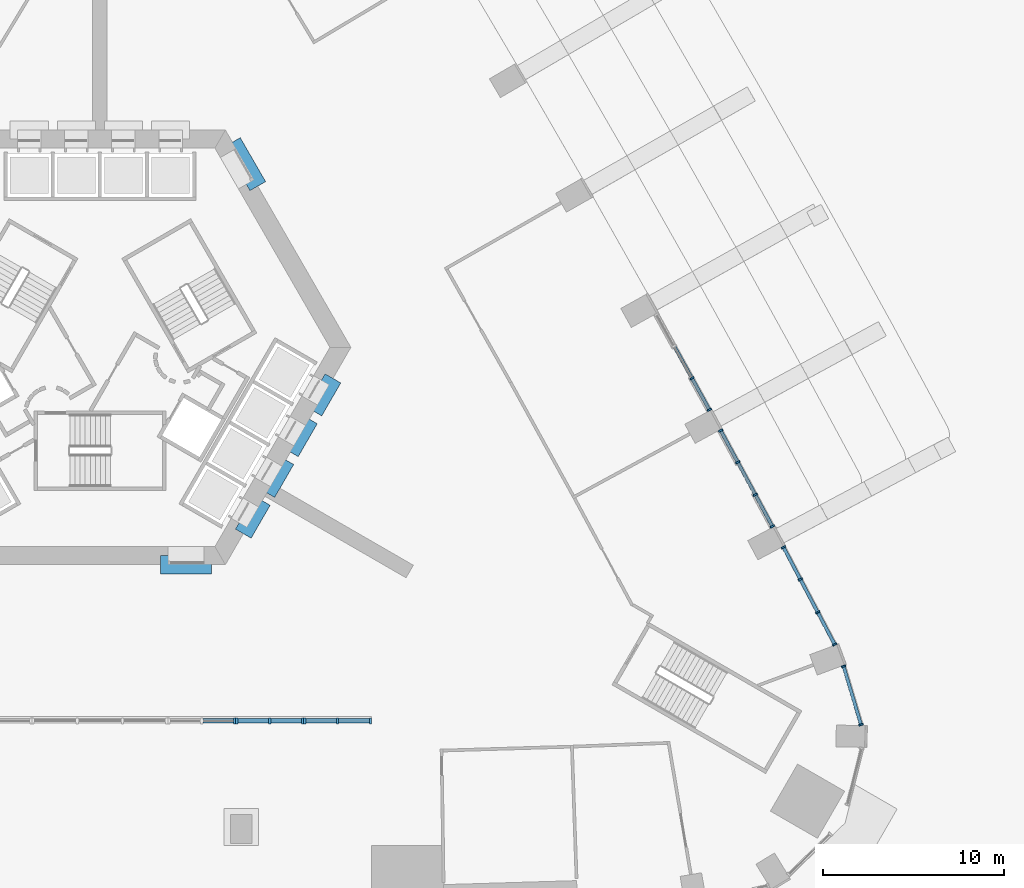
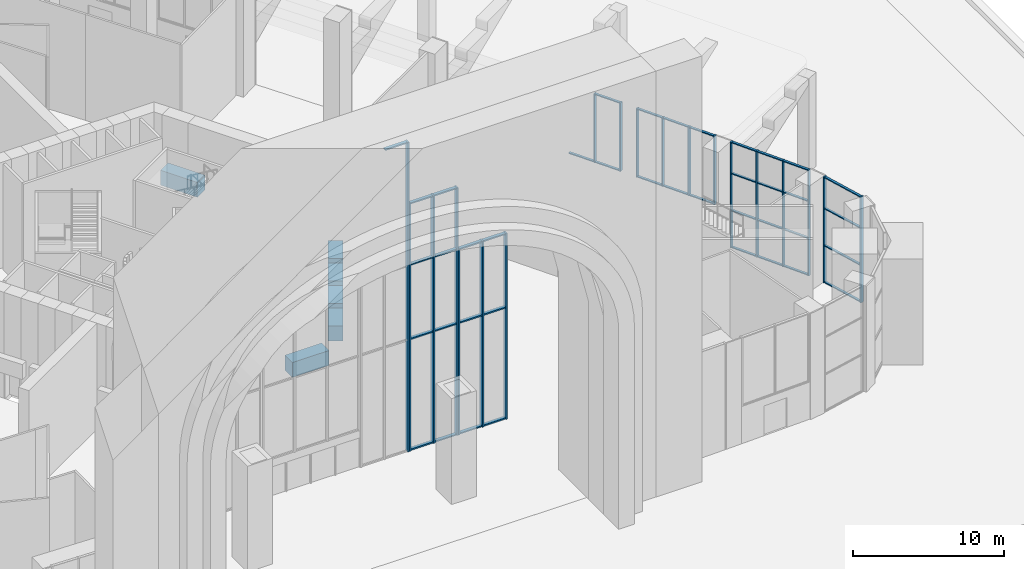
# One storey, part 6 of 36: 59 members, 6 beams, 7 elements without a shape of their own.
"""IFC4 building model written with IfcOpenShell, lengths in metres."""

from ifc_helpers import new_model, si_unit, direction, frame, origin, origin_2d, place, context, subcontext, project, spatial, rectangle, extrude, material, material_profile, profile_set, type_object, element, aggregate, save


model = new_model("IFC4")

# Units and contexts
model_context = context("Model", 3, precision=1e-05, world=origin(), true_north=direction((0.0, 1.0)))
body_context = subcontext(model_context, "Body", "Model", "MODEL_VIEW")
ifc_project = project(units=[si_unit("LENGTHUNIT", "METRE"), si_unit("AREAUNIT", "SQUARE_METRE"), si_unit("VOLUMEUNIT", "CUBIC_METRE"), si_unit("PLANEANGLEUNIT", "RADIAN"), si_unit("MASSUNIT", "GRAM", prefix="KILO")], contexts=[model_context])

# Site, building, storey
site_placement = place(None, origin())
site = spatial("IfcSite", under=ifc_project, at=site_placement, CompositionType="ELEMENT")
building_placement = place(site_placement, origin())
building = spatial("IfcBuilding", under=site, at=building_placement, Name="Entoto Arch Interchange Tower", CompositionType="ELEMENT")
storey_placement = place(building_placement, origin())
storey = spatial("IfcBuildingStorey", under=building, at=storey_placement, Name="L00", CompositionType="ELEMENT", Elevation=0.0)

# Beams
ifc_material_1 = material(Name="Concrete C60/75", Category="concrete")
ifc_material_profile_1 = material_profile(ifc_material_1, rectangle(XDim=1.0, YDim=1.199951171875, at=origin_2d()))
ifc_profile_set_1 = profile_set([ifc_material_profile_1], Name="Concrete C60/75")
beam_type = type_object("IfcBeamType", Name="Coupling beam RC 1000x1200 C60/75", PredefinedType="BEAM", material=ifc_profile_set_1)
beam_1_placement = place(storey_placement, frame((8.717041015625, 11.402099609375, 3.0), z_axis=(-0.500200581029, 0.865909567298, 0.0), x_axis=(-0.865909567298, -0.500200581029, 0.0)))
element("IfcBeam", 1, at=beam_1_placement, inside=storey, type_object=beam_type, Name="Coupling beam NE L00", PredefinedType="BEAM", context=body_context, shape_type="SweptSolid", body=[
    extrude(rectangle(XDim=1.0, YDim=1.199951171875, at=origin_2d()), origin(), (0.0, 0.0, 1.0), 2.799072265625),
])
beam_2_placement = place(storey_placement, frame((3.35009765625, -9.5, 3.0), z_axis=(1.0, 0.0, 0.0), x_axis=(0.0, 1.0, 0.0)))
element("IfcBeam", 2, at=beam_2_placement, inside=storey, type_object=beam_type, Name="Coupling beam S L00", PredefinedType="BEAM", context=body_context, shape_type="SweptSolid", body=[
    extrude(rectangle(XDim=1.0, YDim=1.199951171875, at=origin_2d()), origin(), (0.0, 0.0, 1.0), 2.7998046875),
])
for number, where, z_axis, x_axis, name in (
    (3, (7.9169921875, -7.785888671875, 3.0), (0.500178781653, 0.865922159541, 0.0), (-0.865922159541, 0.500178781653, 0.0), "Coupling beam SE L00"),
    (4, (9.217041015625, -5.534912109375, 3.0), (0.500178781653, 0.865922159541, 0.0), (-0.865922159541, 0.500178781653, 0.0), "Coupling beam SE L00"),
):
    element("IfcBeam", number, at=place(storey_placement, frame(where, z_axis=z_axis, x_axis=x_axis)), inside=storey, type_object=beam_type, Name=name, PredefinedType="BEAM", context=body_context, shape_type="SweptSolid", body=[
        extrude(rectangle(XDim=1.0, YDim=1.199951171875, at=origin_2d()), origin(), (0.0, 0.0, 1.0), 2.099365234375),
    ])
beam_3_placement = place(storey_placement, frame((10.51708984375, -3.282958984375, 3.0), z_axis=(0.500091574638, 0.865972526687, 0.0), x_axis=(-0.865972526687, 0.500091574638, 0.0)))
element("IfcBeam", 5, at=beam_3_placement, inside=storey, type_object=beam_type, Name="Coupling beam SE L00", PredefinedType="BEAM", context=body_context, shape_type="SweptSolid", body=[
    extrude(rectangle(XDim=1.0, YDim=1.199951171875, at=origin_2d()), origin(), (0.0, 0.0, 1.0), 2.09912109375),
])
beam_4_placement = place(storey_placement, frame((11.81689453125, -1.031982421875, 3.0), z_axis=(0.500178781653, 0.865922159541, 0.0), x_axis=(-0.865922159541, 0.500178781653, 0.0)))
element("IfcBeam", 6, at=beam_4_placement, inside=storey, type_object=beam_type, Name="Coupling beam SE L00", PredefinedType="BEAM", context=body_context, shape_type="SweptSolid", body=[
    extrude(rectangle(XDim=1.0, YDim=1.199951171875, at=origin_2d()), origin(), (0.0, 0.0, 1.0), 2.099365234375),
])

# Curtain wall, member
ifc_material_2 = material(Name="Aluminium, anodised", Category="aluminium")
curtain_wall_type_1 = type_object("IfcCurtainWallType", Name="CURTAIN WALL ARCH SCREEN", PredefinedType="NOTDEFINED", material=ifc_material_2)
curtain_wall_1_placement = place(storey_placement, origin())
curtain_wall_1 = element("IfcCurtainWall", 7, at=curtain_wall_1_placement, inside=storey, type_object=curtain_wall_type_1, Name="Arch screen glazing 6", PredefinedType="NOTDEFINED")
ifc_material_profile_2 = material_profile(ifc_material_2, rectangle(XDim=0.35009765625, YDim=0.1201171875, at=origin_2d()))
ifc_profile_set_2 = profile_set([ifc_material_profile_2], Name="Aluminium, anodised")
member_type_1 = type_object("IfcMemberType", Name="MULLION ARCH SCREEN 120x350", PredefinedType="MULLION", material=ifc_profile_set_2)
member_1_placement = place(storey_placement, frame((7.43994140625, -18.125, 0.0), z_axis=(0.0, 0.0, 1.0), x_axis=(0.0, 1.0, 0.0)))
member_1 = element("IfcMember", 8, at=member_1_placement, type_object=member_type_1, Name="CWR mullion 3", PredefinedType="MULLION", context=body_context, shape_type="SweptSolid", body=[
    extrude(rectangle(XDim=0.35009765625, YDim=0.1201171875, at=origin_2d()), origin(), (0.0, 0.0, 1.0), 25.0),
])

# Curtain wall, members
curtain_wall_2_placement = place(storey_placement, origin())
curtain_wall_2 = element("IfcCurtainWall", 9, at=curtain_wall_2_placement, inside=storey, type_object=curtain_wall_type_1, Name="Arch screen glazing 7", PredefinedType="NOTDEFINED")
member_2_placement = place(storey_placement, frame((7.56005859375, -18.125, 0.0), z_axis=(0.0, 0.0, 1.0), x_axis=(0.0, 1.0, 0.0)))
member_2 = element("IfcMember", 10, at=member_2_placement, type_object=member_type_1, Name="CWR mullion 1", PredefinedType="MULLION", context=body_context, shape_type="SweptSolid", body=[
    extrude(rectangle(XDim=0.35009765625, YDim=0.1201171875, at=origin_2d()), origin(), (0.0, 0.0, 1.0), 20.0),
])
member_3_placement = place(storey_placement, frame((9.375, -18.125, 0.0), z_axis=(0.0, 0.0, 1.0), x_axis=(0.0, 1.0, 0.0)))
member_3 = element("IfcMember", 11, at=member_3_placement, type_object=member_type_1, Name="CWR mullion 2", PredefinedType="MULLION", context=body_context, shape_type="SweptSolid", body=[
    extrude(rectangle(XDim=0.35009765625, YDim=0.1201171875, at=origin_2d()), origin(), (0.0, 0.0, 1.0), 20.0),
])
member_4_placement = place(storey_placement, frame((11.18994140625, -18.125, 0.0), z_axis=(0.0, 0.0, 1.0), x_axis=(0.0, 1.0, 0.0)))
member_4 = element("IfcMember", 12, at=member_4_placement, type_object=member_type_1, Name="CWR mullion 3", PredefinedType="MULLION", context=body_context, shape_type="SweptSolid", body=[
    extrude(rectangle(XDim=0.35009765625, YDim=0.1201171875, at=origin_2d()), origin(), (0.0, 0.0, 1.0), 20.0),
])

curtain_wall_3_placement = place(storey_placement, origin())
curtain_wall_3 = element("IfcCurtainWall", 13, at=curtain_wall_3_placement, inside=storey, type_object=curtain_wall_type_1, Name="Arch screen glazing 8", PredefinedType="NOTDEFINED")
member_5_placement = place(storey_placement, frame((11.31005859375, -18.125, 0.0), z_axis=(0.0, 0.0, 1.0), x_axis=(0.0, 1.0, 0.0)))
member_5 = element("IfcMember", 14, at=member_5_placement, type_object=member_type_1, Name="CWR mullion 1", PredefinedType="MULLION", context=body_context, shape_type="SweptSolid", body=[
    extrude(rectangle(XDim=0.35009765625, YDim=0.1201171875, at=origin_2d()), origin(), (0.0, 0.0, 1.0), 15.0),
])
member_6_placement = place(storey_placement, frame((13.125, -18.125, 0.0), z_axis=(0.0, 0.0, 1.0), x_axis=(0.0, 1.0, 0.0)))
member_6 = element("IfcMember", 15, at=member_6_placement, type_object=member_type_1, Name="CWR mullion 2", PredefinedType="MULLION", context=body_context, shape_type="SweptSolid", body=[
    extrude(rectangle(XDim=0.35009765625, YDim=0.1201171875, at=origin_2d()), origin(), (0.0, 0.0, 1.0), 15.0),
])
member_7_placement = place(storey_placement, frame((14.93994140625, -18.125, 0.0), z_axis=(0.0, 0.0, 1.0), x_axis=(0.0, 1.0, 0.0)))
member_7 = element("IfcMember", 16, at=member_7_placement, type_object=member_type_1, Name="CWR mullion 3", PredefinedType="MULLION", context=body_context, shape_type="SweptSolid", body=[
    extrude(rectangle(XDim=0.35009765625, YDim=0.1201171875, at=origin_2d()), origin(), (0.0, 0.0, 1.0), 15.0),
])

curtain_wall_type_2 = type_object("IfcCurtainWallType", Name="CURTAIN WALL GATE HALL", PredefinedType="NOTDEFINED", material=ifc_material_2)
curtain_wall_4_placement = place(storey_placement, origin())
curtain_wall_4 = element("IfcCurtainWall", 17, at=curtain_wall_4_placement, inside=storey, type_object=curtain_wall_type_2, Name="Gate Hall glazing SE-04 L00", PredefinedType="NOTDEFINED")
ifc_material_profile_3 = material_profile(ifc_material_2, rectangle(XDim=0.25, YDim=0.10009765625, at=origin_2d()))
ifc_profile_set_3 = profile_set([ifc_material_profile_3], Name="Aluminium, anodised")
member_type_2 = type_object("IfcMemberType", Name="MULLION GATE HALL 100x250", PredefinedType="MULLION", material=ifc_profile_set_3)
member_8_placement = place(storey_placement, frame((42.021728515625, -18.3330078125, 0.0), z_axis=(0.0, 0.0, 1.0), x_axis=(-0.958293303264, -0.285786537329, 0.0)))
member_8 = element("IfcMember", 18, at=member_8_placement, type_object=member_type_2, Name="CWG mullion 1", PredefinedType="MULLION", context=body_context, shape_type="SweptSolid", body=[
    extrude(rectangle(XDim=0.25, YDim=0.10009765625, at=origin_2d()), origin(), (0.0, 0.0, 1.0), 8.550048828125),
])
member_9_placement = place(storey_placement, frame((41.059326171875, -15.10595703125, 0.0), z_axis=(0.0, 0.0, 1.0), x_axis=(-0.958293303264, -0.285786537329, 0.0)))
member_9 = element("IfcMember", 19, at=member_9_placement, type_object=member_type_2, Name="CWG mullion 2", PredefinedType="MULLION", context=body_context, shape_type="SweptSolid", body=[
    extrude(rectangle(XDim=0.25, YDim=0.10009765625, at=origin_2d()), origin(), (0.0, 0.0, 1.0), 8.550048828125),
])

curtain_wall_5_placement = place(storey_placement, origin())
curtain_wall_5 = element("IfcCurtainWall", 20, at=curtain_wall_5_placement, inside=storey, type_object=curtain_wall_type_2, Name="Gate Hall glazing NE-01 L00", PredefinedType="NOTDEFINED")
member_10_placement = place(storey_placement, frame((40.566650390625, -13.90087890625, 0.0), z_axis=(0.0, 0.0, 1.0), x_axis=(-0.884749196075, -0.46606744152, 0.0)))
member_10 = element("IfcMember", 21, at=member_10_placement, type_object=member_type_2, Name="CWG mullion 1", PredefinedType="MULLION", context=body_context, shape_type="SweptSolid", body=[
    extrude(rectangle(XDim=0.25, YDim=0.10009765625, at=origin_2d()), origin(), (0.0, 0.0, 1.0), 8.550048828125),
])
member_11_placement = place(storey_placement, frame((39.632568359375, -12.127685546875, 0.0), z_axis=(0.0, 0.0, 1.0), x_axis=(-0.884749196075, -0.46606744152, 0.0)))
member_11 = element("IfcMember", 22, at=member_11_placement, type_object=member_type_2, Name="CWG mullion 2", PredefinedType="MULLION", context=body_context, shape_type="SweptSolid", body=[
    extrude(rectangle(XDim=0.25, YDim=0.10009765625, at=origin_2d()), origin(), (0.0, 0.0, 1.0), 8.550048828125),
])
member_12_placement = place(storey_placement, frame((38.67529296875, -10.310302734375, 0.0), z_axis=(0.0, 0.0, 1.0), x_axis=(-0.884749196075, -0.46606744152, 0.0)))
member_12 = element("IfcMember", 23, at=member_12_placement, type_object=member_type_2, Name="CWG mullion 3", PredefinedType="MULLION", context=body_context, shape_type="SweptSolid", body=[
    extrude(rectangle(XDim=0.25, YDim=0.10009765625, at=origin_2d()), origin(), (0.0, 0.0, 1.0), 8.550048828125),
])
member_13_placement = place(storey_placement, frame((37.7412109375, -8.537353515625, 0.0), z_axis=(0.0, 0.0, 1.0), x_axis=(-0.884749196075, -0.46606744152, 0.0)))
member_13 = element("IfcMember", 24, at=member_13_placement, type_object=member_type_2, Name="CWG mullion 4", PredefinedType="MULLION", context=body_context, shape_type="SweptSolid", body=[
    extrude(rectangle(XDim=0.25, YDim=0.10009765625, at=origin_2d()), origin(), (0.0, 0.0, 1.0), 8.550048828125),
])

curtain_wall_6_placement = place(storey_placement, origin())
curtain_wall_6 = element("IfcCurtainWall", 25, at=curtain_wall_6_placement, inside=storey, type_object=curtain_wall_type_2, Name="Gate Hall glazing NE-02 L00", PredefinedType="NOTDEFINED")
member_14_placement = place(storey_placement, frame((37.128173828125, -7.387939453125, 3.0), z_axis=(0.0, 0.0, 1.0), x_axis=(-0.880240049886, -0.474528665706, 0.0)))
member_14 = element("IfcMember", 26, at=member_14_placement, type_object=member_type_2, Name="CWG mullion 1", PredefinedType="MULLION", context=body_context, shape_type="SweptSolid", body=[
    extrude(rectangle(XDim=0.25, YDim=0.10009765625, at=origin_2d()), origin(), (0.0, 0.0, 1.0), 5.550048828125),
])
member_15_placement = place(storey_placement, frame((36.184326171875, -5.636962890625, 3.0), z_axis=(0.0, 0.0, 1.0), x_axis=(-0.880240049886, -0.474528665706, 0.0)))
member_15 = element("IfcMember", 27, at=member_15_placement, type_object=member_type_2, Name="CWG mullion 2", PredefinedType="MULLION", context=body_context, shape_type="SweptSolid", body=[
    extrude(rectangle(XDim=0.25, YDim=0.10009765625, at=origin_2d()), origin(), (0.0, 0.0, 1.0), 5.550048828125),
])
member_16_placement = place(storey_placement, frame((35.216552734375, -3.842041015625, 3.0), z_axis=(0.0, 0.0, 1.0), x_axis=(-0.880240049886, -0.474528665706, 0.0)))
member_16 = element("IfcMember", 28, at=member_16_placement, type_object=member_type_2, Name="CWG mullion 3", PredefinedType="MULLION", context=body_context, shape_type="SweptSolid", body=[
    extrude(rectangle(XDim=0.25, YDim=0.10009765625, at=origin_2d()), origin(), (0.0, 0.0, 1.0), 5.550048828125),
])
member_17_placement = place(storey_placement, frame((34.272705078125, -2.091064453125, 3.0), z_axis=(0.0, 0.0, 1.0), x_axis=(-0.880240049886, -0.474528665706, 0.0)))
member_17 = element("IfcMember", 29, at=member_17_placement, type_object=member_type_2, Name="CWG mullion 4", PredefinedType="MULLION", context=body_context, shape_type="SweptSolid", body=[
    extrude(rectangle(XDim=0.25, YDim=0.10009765625, at=origin_2d()), origin(), (0.0, 0.0, 1.0), 5.550048828125),
])

curtain_wall_7_placement = place(storey_placement, origin())
curtain_wall_7 = element("IfcCurtainWall", 30, at=curtain_wall_7_placement, inside=storey, type_object=curtain_wall_type_2, Name="Gate Hall glazing NE-03 L00", PredefinedType="NOTDEFINED")
member_18_placement = place(storey_placement, frame((33.64892578125, -0.9482421875, 3.0), z_axis=(0.0, 0.0, 1.0), x_axis=(-0.875472745573, -0.483267495036, 0.0)))
member_18 = element("IfcMember", 31, at=member_18_placement, type_object=member_type_2, Name="CWG mullion 1", PredefinedType="MULLION", context=body_context, shape_type="SweptSolid", body=[
    extrude(rectangle(XDim=0.25, YDim=0.10009765625, at=origin_2d()), origin(), (0.0, 0.0, 1.0), 5.550048828125),
])
member_19_placement = place(storey_placement, frame((32.687744140625, 0.79296875, 3.0), z_axis=(0.0, 0.0, 1.0), x_axis=(-0.875472745573, -0.483267495036, 0.0)))
member_19 = element("IfcMember", 32, at=member_19_placement, type_object=member_type_2, Name="CWG mullion 2", PredefinedType="MULLION", context=body_context, shape_type="SweptSolid", body=[
    extrude(rectangle(XDim=0.25, YDim=0.10009765625, at=origin_2d()), origin(), (0.0, 0.0, 1.0), 5.550048828125),
])

# Member
ifc_material_profile_4 = material_profile(ifc_material_2, rectangle(XDim=0.25, YDim=0.10009765625, at=origin_2d()))
ifc_profile_set_4 = profile_set([ifc_material_profile_4], Name="Aluminium, anodised")
member_type_3 = type_object("IfcMemberType", Name="TRANSOM ARCH SCREEN 100x250", PredefinedType="USERDEFINED", material=ifc_profile_set_4)
member_20_placement = place(storey_placement, frame((5.68505859375, -18.125, 24.949951171875), z_axis=(1.0, 0.0, 0.0), x_axis=(0.0, 1.0, 0.0)))
member_20 = element("IfcMember", 33, at=member_20_placement, type_object=member_type_3, Name="CWR transom 2.5", ObjectType="TRANSOM", PredefinedType="USERDEFINED", context=body_context, shape_type="SweptSolid", body=[
    extrude(rectangle(XDim=0.25, YDim=0.10009765625, at=origin_2d()), origin(), (0.0, 0.0, 1.0), 1.69482421875),
])

aggregate(curtain_wall_1, [member_1, member_20])

member_21_placement = place(storey_placement, frame((7.6201171875, -18.125, 0.050048828125), z_axis=(1.0, 0.0, 0.0), x_axis=(0.0, 1.0, 0.0)))
member_21 = element("IfcMember", 34, at=member_21_placement, type_object=member_type_3, Name="CWR transom 1.1", ObjectType="TRANSOM", PredefinedType="USERDEFINED", context=body_context, shape_type="SweptSolid", body=[
    extrude(rectangle(XDim=0.25, YDim=0.10009765625, at=origin_2d()), origin(), (0.0, 0.0, 1.0), 1.69482421875),
])

member_22_placement = place(storey_placement, frame((7.6201171875, -18.125, 9.0), z_axis=(1.0, 0.0, 0.0), x_axis=(0.0, 1.0, 0.0)))
member_22 = element("IfcMember", 35, at=member_22_placement, type_object=member_type_3, Name="CWR transom 1.2", ObjectType="TRANSOM", PredefinedType="USERDEFINED", context=body_context, shape_type="SweptSolid", body=[
    extrude(rectangle(XDim=0.25, YDim=0.10009765625, at=origin_2d()), origin(), (0.0, 0.0, 1.0), 1.69482421875),
])

member_23_placement = place(storey_placement, frame((7.6201171875, -18.125, 15.0), z_axis=(1.0, 0.0, 0.0), x_axis=(0.0, 1.0, 0.0)))
member_23 = element("IfcMember", 36, at=member_23_placement, type_object=member_type_3, Name="CWR transom 1.3", ObjectType="TRANSOM", PredefinedType="USERDEFINED", context=body_context, shape_type="SweptSolid", body=[
    extrude(rectangle(XDim=0.25, YDim=0.10009765625, at=origin_2d()), origin(), (0.0, 0.0, 1.0), 1.69482421875),
])

member_24_placement = place(storey_placement, frame((7.6201171875, -18.125, 19.949951171875), z_axis=(1.0, 0.0, 0.0), x_axis=(0.0, 1.0, 0.0)))
member_24 = element("IfcMember", 37, at=member_24_placement, type_object=member_type_3, Name="CWR transom 1.4", ObjectType="TRANSOM", PredefinedType="USERDEFINED", context=body_context, shape_type="SweptSolid", body=[
    extrude(rectangle(XDim=0.25, YDim=0.10009765625, at=origin_2d()), origin(), (0.0, 0.0, 1.0), 1.69482421875),
])

member_25_placement = place(storey_placement, frame((9.43505859375, -18.125, 0.050048828125), z_axis=(1.0, 0.0, 0.0), x_axis=(0.0, 1.0, 0.0)))
member_25 = element("IfcMember", 38, at=member_25_placement, type_object=member_type_3, Name="CWR transom 2.1", ObjectType="TRANSOM", PredefinedType="USERDEFINED", context=body_context, shape_type="SweptSolid", body=[
    extrude(rectangle(XDim=0.25, YDim=0.10009765625, at=origin_2d()), origin(), (0.0, 0.0, 1.0), 1.69482421875),
])

member_26_placement = place(storey_placement, frame((9.43505859375, -18.125, 9.0), z_axis=(1.0, 0.0, 0.0), x_axis=(0.0, 1.0, 0.0)))
member_26 = element("IfcMember", 39, at=member_26_placement, type_object=member_type_3, Name="CWR transom 2.2", ObjectType="TRANSOM", PredefinedType="USERDEFINED", context=body_context, shape_type="SweptSolid", body=[
    extrude(rectangle(XDim=0.25, YDim=0.10009765625, at=origin_2d()), origin(), (0.0, 0.0, 1.0), 1.69482421875),
])

member_27_placement = place(storey_placement, frame((9.43505859375, -18.125, 15.0), z_axis=(1.0, 0.0, 0.0), x_axis=(0.0, 1.0, 0.0)))
member_27 = element("IfcMember", 40, at=member_27_placement, type_object=member_type_3, Name="CWR transom 2.3", ObjectType="TRANSOM", PredefinedType="USERDEFINED", context=body_context, shape_type="SweptSolid", body=[
    extrude(rectangle(XDim=0.25, YDim=0.10009765625, at=origin_2d()), origin(), (0.0, 0.0, 1.0), 1.69482421875),
])

member_28_placement = place(storey_placement, frame((9.43505859375, -18.125, 19.949951171875), z_axis=(1.0, 0.0, 0.0), x_axis=(0.0, 1.0, 0.0)))
member_28 = element("IfcMember", 41, at=member_28_placement, type_object=member_type_3, Name="CWR transom 2.4", ObjectType="TRANSOM", PredefinedType="USERDEFINED", context=body_context, shape_type="SweptSolid", body=[
    extrude(rectangle(XDim=0.25, YDim=0.10009765625, at=origin_2d()), origin(), (0.0, 0.0, 1.0), 1.69482421875),
])

aggregate(curtain_wall_2, [member_2, member_3, member_4, member_21, member_22, member_23, member_24, member_25, member_26, member_27, member_28])

member_29_placement = place(storey_placement, frame((11.3701171875, -18.125, 0.050048828125), z_axis=(1.0, 0.0, 0.0), x_axis=(0.0, 1.0, 0.0)))
member_29 = element("IfcMember", 42, at=member_29_placement, type_object=member_type_3, Name="CWR transom 1.1", ObjectType="TRANSOM", PredefinedType="USERDEFINED", context=body_context, shape_type="SweptSolid", body=[
    extrude(rectangle(XDim=0.25, YDim=0.10009765625, at=origin_2d()), origin(), (0.0, 0.0, 1.0), 1.69482421875),
])

member_30_placement = place(storey_placement, frame((11.3701171875, -18.125, 9.0), z_axis=(1.0, 0.0, 0.0), x_axis=(0.0, 1.0, 0.0)))
member_30 = element("IfcMember", 43, at=member_30_placement, type_object=member_type_3, Name="CWR transom 1.2", ObjectType="TRANSOM", PredefinedType="USERDEFINED", context=body_context, shape_type="SweptSolid", body=[
    extrude(rectangle(XDim=0.25, YDim=0.10009765625, at=origin_2d()), origin(), (0.0, 0.0, 1.0), 1.69482421875),
])

member_31_placement = place(storey_placement, frame((11.3701171875, -18.125, 14.949951171875), z_axis=(1.0, 0.0, 0.0), x_axis=(0.0, 1.0, 0.0)))
member_31 = element("IfcMember", 44, at=member_31_placement, type_object=member_type_3, Name="CWR transom 1.3", ObjectType="TRANSOM", PredefinedType="USERDEFINED", context=body_context, shape_type="SweptSolid", body=[
    extrude(rectangle(XDim=0.25, YDim=0.10009765625, at=origin_2d()), origin(), (0.0, 0.0, 1.0), 1.69482421875),
])

member_32_placement = place(storey_placement, frame((13.18505859375, -18.125, 0.050048828125), z_axis=(1.0, 0.0, 0.0), x_axis=(0.0, 1.0, 0.0)))
member_32 = element("IfcMember", 45, at=member_32_placement, type_object=member_type_3, Name="CWR transom 2.1", ObjectType="TRANSOM", PredefinedType="USERDEFINED", context=body_context, shape_type="SweptSolid", body=[
    extrude(rectangle(XDim=0.25, YDim=0.10009765625, at=origin_2d()), origin(), (0.0, 0.0, 1.0), 1.69482421875),
])

member_33_placement = place(storey_placement, frame((13.18505859375, -18.125, 9.0), z_axis=(1.0, 0.0, 0.0), x_axis=(0.0, 1.0, 0.0)))
member_33 = element("IfcMember", 46, at=member_33_placement, type_object=member_type_3, Name="CWR transom 2.2", ObjectType="TRANSOM", PredefinedType="USERDEFINED", context=body_context, shape_type="SweptSolid", body=[
    extrude(rectangle(XDim=0.25, YDim=0.10009765625, at=origin_2d()), origin(), (0.0, 0.0, 1.0), 1.69482421875),
])

member_34_placement = place(storey_placement, frame((13.18505859375, -18.125, 14.949951171875), z_axis=(1.0, 0.0, 0.0), x_axis=(0.0, 1.0, 0.0)))
member_34 = element("IfcMember", 47, at=member_34_placement, type_object=member_type_3, Name="CWR transom 2.3", ObjectType="TRANSOM", PredefinedType="USERDEFINED", context=body_context, shape_type="SweptSolid", body=[
    extrude(rectangle(XDim=0.25, YDim=0.10009765625, at=origin_2d()), origin(), (0.0, 0.0, 1.0), 1.69482421875),
])

aggregate(curtain_wall_3, [member_5, member_6, member_7, member_29, member_30, member_31, member_32, member_33, member_34])

ifc_material_profile_5 = material_profile(ifc_material_2, rectangle(XDim=0.179931640625, YDim=0.080078125, at=origin_2d()))
ifc_profile_set_5 = profile_set([ifc_material_profile_5], Name="Aluminium, anodised")
member_type_4 = type_object("IfcMemberType", Name="TRANSOM GATE HALL 80x180", PredefinedType="USERDEFINED", material=ifc_profile_set_5)
member_35_placement = place(storey_placement, frame((42.00732421875, -18.28515625, 0.0400390625), z_axis=(-0.285784658375, 0.958293863613, 0.0), x_axis=(-0.958293863613, -0.285784658375, 0.0)))
member_35 = element("IfcMember", 48, at=member_35_placement, type_object=member_type_4, Name="CWG transom 1.1", ObjectType="TRANSOM", PredefinedType="USERDEFINED", context=body_context, shape_type="SweptSolid", body=[
    extrude(rectangle(XDim=0.179931640625, YDim=0.080078125, at=origin_2d()), origin(), (0.0, 0.0, 1.0), 3.267578125),
])

member_36_placement = place(storey_placement, frame((42.00732421875, -18.28515625, 3.0), z_axis=(-0.285784658375, 0.958293863613, 0.0), x_axis=(-0.958293863613, -0.285784658375, 0.0)))
member_36 = element("IfcMember", 49, at=member_36_placement, type_object=member_type_4, Name="CWG transom 1.2", ObjectType="TRANSOM", PredefinedType="USERDEFINED", context=body_context, shape_type="SweptSolid", body=[
    extrude(rectangle(XDim=0.179931640625, YDim=0.080078125, at=origin_2d()), origin(), (0.0, 0.0, 1.0), 3.267578125),
])

member_37_placement = place(storey_placement, frame((42.00732421875, -18.28515625, 6.0), z_axis=(-0.285784658375, 0.958293863613, 0.0), x_axis=(-0.958293863613, -0.285784658375, 0.0)))
member_37 = element("IfcMember", 50, at=member_37_placement, type_object=member_type_4, Name="CWG transom 1.3", ObjectType="TRANSOM", PredefinedType="USERDEFINED", context=body_context, shape_type="SweptSolid", body=[
    extrude(rectangle(XDim=0.179931640625, YDim=0.080078125, at=origin_2d()), origin(), (0.0, 0.0, 1.0), 3.267578125),
])

member_38_placement = place(storey_placement, frame((42.00732421875, -18.28515625, 8.510009765625), z_axis=(-0.285784658375, 0.958293863613, 0.0), x_axis=(-0.958293863613, -0.285784658375, 0.0)))
member_38 = element("IfcMember", 51, at=member_38_placement, type_object=member_type_4, Name="CWG transom 1.4", ObjectType="TRANSOM", PredefinedType="USERDEFINED", context=body_context, shape_type="SweptSolid", body=[
    extrude(rectangle(XDim=0.179931640625, YDim=0.080078125, at=origin_2d()), origin(), (0.0, 0.0, 1.0), 3.267578125),
])

aggregate(curtain_wall_4, [member_8, member_9, member_35, member_36, member_37, member_38])

member_39_placement = place(storey_placement, frame((40.54345703125, -13.8564453125, 0.0400390625), z_axis=(-0.466089901357, 0.884737364336, 0.0), x_axis=(-0.884737364336, -0.466089901357, 0.0)))
member_39 = element("IfcMember", 52, at=member_39_placement, type_object=member_type_4, Name="CWG transom 1.1", ObjectType="TRANSOM", PredefinedType="USERDEFINED", context=body_context, shape_type="SweptSolid", body=[
    extrude(rectangle(XDim=0.179931640625, YDim=0.080078125, at=origin_2d()), origin(), (0.0, 0.0, 1.0), 1.904052734375),
])

member_40_placement = place(storey_placement, frame((40.54345703125, -13.8564453125, 3.0), z_axis=(-0.466089901357, 0.884737364336, 0.0), x_axis=(-0.884737364336, -0.466089901357, 0.0)))
member_40 = element("IfcMember", 53, at=member_40_placement, type_object=member_type_4, Name="CWG transom 1.2", ObjectType="TRANSOM", PredefinedType="USERDEFINED", context=body_context, shape_type="SweptSolid", body=[
    extrude(rectangle(XDim=0.179931640625, YDim=0.080078125, at=origin_2d()), origin(), (0.0, 0.0, 1.0), 1.904052734375),
])

member_41_placement = place(storey_placement, frame((40.54345703125, -13.8564453125, 6.0), z_axis=(-0.466089901357, 0.884737364336, 0.0), x_axis=(-0.884737364336, -0.466089901357, 0.0)))
member_41 = element("IfcMember", 54, at=member_41_placement, type_object=member_type_4, Name="CWG transom 1.3", ObjectType="TRANSOM", PredefinedType="USERDEFINED", context=body_context, shape_type="SweptSolid", body=[
    extrude(rectangle(XDim=0.179931640625, YDim=0.080078125, at=origin_2d()), origin(), (0.0, 0.0, 1.0), 1.904052734375),
])

member_42_placement = place(storey_placement, frame((40.54345703125, -13.8564453125, 8.510009765625), z_axis=(-0.466089901357, 0.884737364336, 0.0), x_axis=(-0.884737364336, -0.466089901357, 0.0)))
member_42 = element("IfcMember", 55, at=member_42_placement, type_object=member_type_4, Name="CWG transom 1.4", ObjectType="TRANSOM", PredefinedType="USERDEFINED", context=body_context, shape_type="SweptSolid", body=[
    extrude(rectangle(XDim=0.179931640625, YDim=0.080078125, at=origin_2d()), origin(), (0.0, 0.0, 1.0), 1.904052734375),
])

member_43_placement = place(storey_placement, frame((39.609375, -12.08349609375, 0.0400390625), z_axis=(-0.466003869331, 0.884782681662, 0.0), x_axis=(-0.884782681662, -0.466003869331, 0.0)))
member_43 = element("IfcMember", 56, at=member_43_placement, type_object=member_type_4, Name="CWG transom 2.1", ObjectType="TRANSOM", PredefinedType="USERDEFINED", context=body_context, shape_type="SweptSolid", body=[
    extrude(rectangle(XDim=0.179931640625, YDim=0.080078125, at=origin_2d()), origin(), (0.0, 0.0, 1.0), 1.9541015625),
])

member_44_placement = place(storey_placement, frame((39.609375, -12.08349609375, 3.0), z_axis=(-0.466003869331, 0.884782681662, 0.0), x_axis=(-0.884782681662, -0.466003869331, 0.0)))
member_44 = element("IfcMember", 57, at=member_44_placement, type_object=member_type_4, Name="CWG transom 2.2", ObjectType="TRANSOM", PredefinedType="USERDEFINED", context=body_context, shape_type="SweptSolid", body=[
    extrude(rectangle(XDim=0.179931640625, YDim=0.080078125, at=origin_2d()), origin(), (0.0, 0.0, 1.0), 1.9541015625),
])

member_45_placement = place(storey_placement, frame((39.609375, -12.08349609375, 6.0), z_axis=(-0.466003869331, 0.884782681662, 0.0), x_axis=(-0.884782681662, -0.466003869331, 0.0)))
member_45 = element("IfcMember", 58, at=member_45_placement, type_object=member_type_4, Name="CWG transom 2.3", ObjectType="TRANSOM", PredefinedType="USERDEFINED", context=body_context, shape_type="SweptSolid", body=[
    extrude(rectangle(XDim=0.179931640625, YDim=0.080078125, at=origin_2d()), origin(), (0.0, 0.0, 1.0), 1.9541015625),
])

member_46_placement = place(storey_placement, frame((39.609375, -12.08349609375, 8.510009765625), z_axis=(-0.466003869331, 0.884782681662, 0.0), x_axis=(-0.884782681662, -0.466003869331, 0.0)))
member_46 = element("IfcMember", 59, at=member_46_placement, type_object=member_type_4, Name="CWG transom 2.4", ObjectType="TRANSOM", PredefinedType="USERDEFINED", context=body_context, shape_type="SweptSolid", body=[
    extrude(rectangle(XDim=0.179931640625, YDim=0.080078125, at=origin_2d()), origin(), (0.0, 0.0, 1.0), 1.9541015625),
])

member_47_placement = place(storey_placement, frame((38.652099609375, -10.26611328125, 0.0400390625), z_axis=(-0.466089901357, 0.884737364336, 0.0), x_axis=(-0.884737364336, -0.466089901357, 0.0)))
member_47 = element("IfcMember", 60, at=member_47_placement, type_object=member_type_4, Name="CWG transom 3.1", ObjectType="TRANSOM", PredefinedType="USERDEFINED", context=body_context, shape_type="SweptSolid", body=[
    extrude(rectangle(XDim=0.179931640625, YDim=0.080078125, at=origin_2d()), origin(), (0.0, 0.0, 1.0), 1.904052734375),
])

member_48_placement = place(storey_placement, frame((38.652099609375, -10.26611328125, 3.0), z_axis=(-0.466089901357, 0.884737364336, 0.0), x_axis=(-0.884737364336, -0.466089901357, 0.0)))
member_48 = element("IfcMember", 61, at=member_48_placement, type_object=member_type_4, Name="CWG transom 3.2", ObjectType="TRANSOM", PredefinedType="USERDEFINED", context=body_context, shape_type="SweptSolid", body=[
    extrude(rectangle(XDim=0.179931640625, YDim=0.080078125, at=origin_2d()), origin(), (0.0, 0.0, 1.0), 1.904052734375),
])

member_49_placement = place(storey_placement, frame((38.652099609375, -10.26611328125, 6.0), z_axis=(-0.466089901357, 0.884737364336, 0.0), x_axis=(-0.884737364336, -0.466089901357, 0.0)))
member_49 = element("IfcMember", 62, at=member_49_placement, type_object=member_type_4, Name="CWG transom 3.3", ObjectType="TRANSOM", PredefinedType="USERDEFINED", context=body_context, shape_type="SweptSolid", body=[
    extrude(rectangle(XDim=0.179931640625, YDim=0.080078125, at=origin_2d()), origin(), (0.0, 0.0, 1.0), 1.904052734375),
])

member_50_placement = place(storey_placement, frame((38.652099609375, -10.26611328125, 8.510009765625), z_axis=(-0.466089901357, 0.884737364336, 0.0), x_axis=(-0.884737364336, -0.466089901357, 0.0)))
member_50 = element("IfcMember", 63, at=member_50_placement, type_object=member_type_4, Name="CWG transom 3.4", ObjectType="TRANSOM", PredefinedType="USERDEFINED", context=body_context, shape_type="SweptSolid", body=[
    extrude(rectangle(XDim=0.179931640625, YDim=0.080078125, at=origin_2d()), origin(), (0.0, 0.0, 1.0), 1.904052734375),
])

aggregate(curtain_wall_5, [member_10, member_11, member_12, member_13, member_39, member_40, member_41, member_42, member_43, member_44, member_45, member_46, member_47, member_48, member_49, member_50])

member_51_placement = place(storey_placement, frame((37.1044921875, -7.343994140625, 3.0400390625), z_axis=(-0.474500478405, 0.880255244797, 0.0), x_axis=(-0.880255244797, -0.474500478405, 0.0)))
member_51 = element("IfcMember", 64, at=member_51_placement, type_object=member_type_4, Name="CWG transom 1.1", ObjectType="TRANSOM", PredefinedType="USERDEFINED", context=body_context, shape_type="SweptSolid", body=[
    extrude(rectangle(XDim=0.179931640625, YDim=0.080078125, at=origin_2d()), origin(), (0.0, 0.0, 1.0), 1.889404296875),
])

member_52_placement = place(storey_placement, frame((37.1044921875, -7.343994140625, 8.510009765625), z_axis=(-0.474500478405, 0.880255244797, 0.0), x_axis=(-0.880255244797, -0.474500478405, 0.0)))
member_52 = element("IfcMember", 65, at=member_52_placement, type_object=member_type_4, Name="CWG transom 1.2", ObjectType="TRANSOM", PredefinedType="USERDEFINED", context=body_context, shape_type="SweptSolid", body=[
    extrude(rectangle(XDim=0.179931640625, YDim=0.080078125, at=origin_2d()), origin(), (0.0, 0.0, 1.0), 1.889404296875),
])

member_53_placement = place(storey_placement, frame((36.16064453125, -5.593017578125, 3.0400390625), z_axis=(-0.474497671634, 0.880256757778, 0.0), x_axis=(-0.880256757778, -0.474497671634, 0.0)))
member_53 = element("IfcMember", 66, at=member_53_placement, type_object=member_type_4, Name="CWG transom 2.1", ObjectType="TRANSOM", PredefinedType="USERDEFINED", context=body_context, shape_type="SweptSolid", body=[
    extrude(rectangle(XDim=0.179931640625, YDim=0.080078125, at=origin_2d()), origin(), (0.0, 0.0, 1.0), 1.939208984375),
])

member_54_placement = place(storey_placement, frame((36.16064453125, -5.593017578125, 8.510009765625), z_axis=(-0.474497671634, 0.880256757778, 0.0), x_axis=(-0.880256757778, -0.474497671634, 0.0)))
member_54 = element("IfcMember", 67, at=member_54_placement, type_object=member_type_4, Name="CWG transom 2.2", ObjectType="TRANSOM", PredefinedType="USERDEFINED", context=body_context, shape_type="SweptSolid", body=[
    extrude(rectangle(XDim=0.179931640625, YDim=0.080078125, at=origin_2d()), origin(), (0.0, 0.0, 1.0), 1.939208984375),
])

member_55_placement = place(storey_placement, frame((35.19287109375, -3.798095703125, 3.0400390625), z_axis=(-0.474500478405, 0.880255244797, 0.0), x_axis=(-0.880255244797, -0.474500478405, 0.0)))
member_55 = element("IfcMember", 68, at=member_55_placement, type_object=member_type_4, Name="CWG transom 3.1", ObjectType="TRANSOM", PredefinedType="USERDEFINED", context=body_context, shape_type="SweptSolid", body=[
    extrude(rectangle(XDim=0.179931640625, YDim=0.080078125, at=origin_2d()), origin(), (0.0, 0.0, 1.0), 1.889404296875),
])

member_56_placement = place(storey_placement, frame((35.19287109375, -3.798095703125, 8.510009765625), z_axis=(-0.474500478405, 0.880255244797, 0.0), x_axis=(-0.880255244797, -0.474500478405, 0.0)))
member_56 = element("IfcMember", 69, at=member_56_placement, type_object=member_type_4, Name="CWG transom 3.2", ObjectType="TRANSOM", PredefinedType="USERDEFINED", context=body_context, shape_type="SweptSolid", body=[
    extrude(rectangle(XDim=0.179931640625, YDim=0.080078125, at=origin_2d()), origin(), (0.0, 0.0, 1.0), 1.889404296875),
])

aggregate(curtain_wall_6, [member_14, member_15, member_16, member_17, member_51, member_52, member_53, member_54, member_55, member_56])

member_57_placement = place(storey_placement, frame((33.624755859375, -0.904541015625, 3.0400390625), z_axis=(-0.483237916012, 0.875489072764, 0.0), x_axis=(-0.875489072764, -0.483237916012, 0.0)))
member_57 = element("IfcMember", 70, at=member_57_placement, type_object=member_type_4, Name="CWG transom 1.1", ObjectType="TRANSOM", PredefinedType="USERDEFINED", context=body_context, shape_type="SweptSolid", body=[
    extrude(rectangle(XDim=0.179931640625, YDim=0.080078125, at=origin_2d()), origin(), (0.0, 0.0, 1.0), 1.888916015625),
])

member_58_placement = place(storey_placement, frame((33.624755859375, -0.904541015625, 8.510009765625), z_axis=(-0.483237916012, 0.875489072764, 0.0), x_axis=(-0.875489072764, -0.483237916012, 0.0)))
member_58 = element("IfcMember", 71, at=member_58_placement, type_object=member_type_4, Name="CWG transom 1.2", ObjectType="TRANSOM", PredefinedType="USERDEFINED", context=body_context, shape_type="SweptSolid", body=[
    extrude(rectangle(XDim=0.179931640625, YDim=0.080078125, at=origin_2d()), origin(), (0.0, 0.0, 1.0), 1.888916015625),
])

member_59_placement = place(storey_placement, frame((32.66357421875, 0.836669921875, 3.0400390625), z_axis=(-0.48325707838, 0.875478495564, 0.0), x_axis=(-0.875478495564, -0.48325707838, 0.0)))
member_59 = element("IfcMember", 72, at=member_59_placement, type_object=member_type_4, Name="CWG transom 2.1", ObjectType="TRANSOM", PredefinedType="USERDEFINED", context=body_context, shape_type="SweptSolid", body=[
    extrude(rectangle(XDim=0.179931640625, YDim=0.080078125, at=origin_2d()), origin(), (0.0, 0.0, 1.0), 1.93896484375),
])

aggregate(curtain_wall_7, [member_18, member_19, member_57, member_58, member_59])

save(model, "model.ifc")
